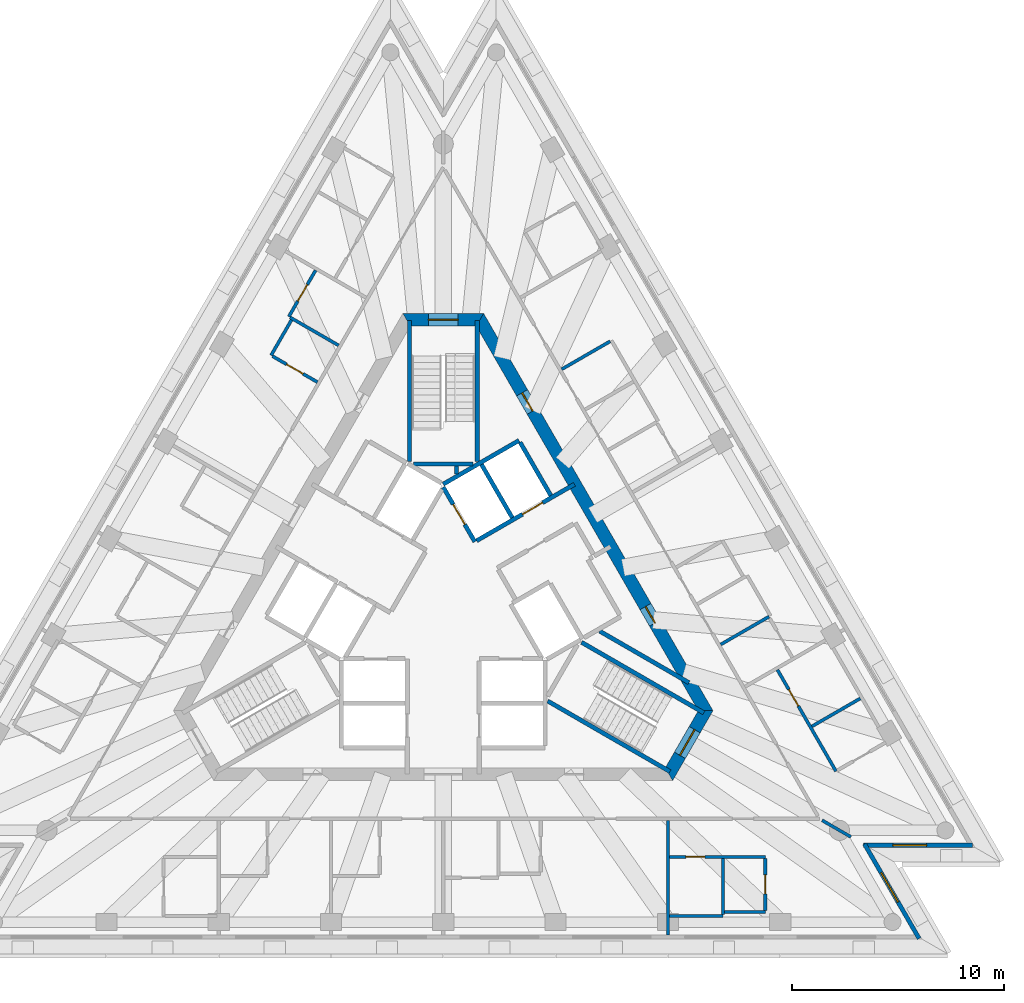
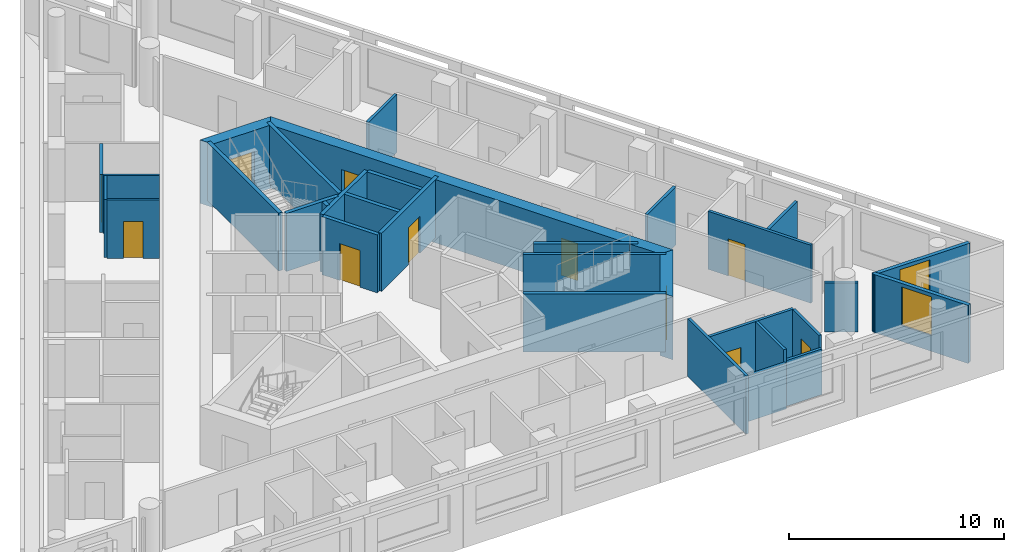
# One storey, part 6 of 11: 32 walls, 11 doors, 2 windows, 13 openings.
"""IFC4 building model written with IfcOpenShell, lengths in metres."""

from ifc_helpers import new_model, si_unit, direction, frame, frame_2d, origin, place, context, subcontext, project, spatial, polyline, rectangle, outline, extrude, material, layer, layer_set, layer_usage, type_object, element, fill, save


model = new_model("IFC4")

# Units and contexts
model_context = context("Model", 3, precision=1e-05, world=origin(), true_north=direction((0.0, 1.0)))
body_context = subcontext(model_context, "Body", "Model", "MODEL_VIEW")
ifc_project = project(units=[si_unit("LENGTHUNIT", "METRE"), si_unit("AREAUNIT", "SQUARE_METRE"), si_unit("VOLUMEUNIT", "CUBIC_METRE"), si_unit("PLANEANGLEUNIT", "RADIAN"), si_unit("MASSUNIT", "GRAM", prefix="KILO")], contexts=[model_context])

# Site, building, storey
site_placement = place(None, origin())
site = spatial("IfcSite", under=ifc_project, at=site_placement, CompositionType="ELEMENT")
building_placement = place(site_placement, origin())
building = spatial("IfcBuilding", under=site, at=building_placement, Name="Triada Interchange Tower", CompositionType="ELEMENT")
storey_placement = place(building_placement, frame((0.0, 0.0, 304.300048828125)))
storey = spatial("IfcBuildingStorey", under=building, at=storey_placement, Name="L72", CompositionType="ELEMENT", Elevation=304.300048828125)

# Wall
ifc_material_1 = material(Name="Concrete C30/37", Category="concrete")
ifc_layer_1 = layer(ifc_material_1, 0.199951171875)
ifc_layer_set_1 = layer_set([ifc_layer_1], Name="CORE WALL 200 EI 120")
wall_type_1 = type_object("IfcWallType", Name="CORE WALL 200 EI 120", PredefinedType="SOLIDWALL", material=ifc_layer_set_1)
wall_1_placement = place(storey_placement, frame((-0.001953125, 5.541015625, 0.0), z_axis=(0.0, 0.0, 1.0), x_axis=(0.86600155993, 0.500041296494, 0.0)))
element("IfcWall", 1, at=wall_1_placement, inside=storey, type_object=wall_type_1, Name="Wall L71 79", PredefinedType="SOLIDWALL", context=body_context, shape_type="SweptSolid", body=[
    extrude(rectangle(XDim=4.131591796875, YDim=0.199951171875, at=frame_2d((2.06591796875, 0.0))), origin(), (0.0, 0.0, 1.0), 3.300048828125),
])

# Wall, opening, door
wall_2_placement = place(storey_placement, frame((0.0, 5.39990234375, 0.0), z_axis=(0.0, 0.0, 1.0), x_axis=(0.500103862429, -0.865965430478, 0.0)))
wall_2 = element("IfcWall", 2, at=wall_2_placement, inside=storey, type_object=wall_type_1, Name="Wall L71 80", PredefinedType="SOLIDWALL", context=body_context, shape_type="SweptSolid", body=[
    extrude(rectangle(XDim=2.973388671875, YDim=0.199951171875, at=frame_2d((1.48681640625, 0.0))), origin(), (0.0, 0.0, 1.0), 3.300048828125),
])
opening_1_placement = place(wall_2_placement, frame((0.93701171875, 0.0, 0.0)))
opening_1 = element("IfcOpeningElement", 3, at=opening_1_placement, cuts=wall_2, Name="Opening LD-HR5", PredefinedType="OPENING", context=body_context, shape_type="SweptSolid", body=[
    extrude(rectangle(XDim=1.10009765625, YDim=2.10009765625, at=frame_2d((0.550048828125, 1.050048828125))), frame((0.0, 0.10986328125, 0.0), z_axis=(0.0, -1.0, 0.0), x_axis=(1.0, 0.0, 0.0)), (0.0, 0.0, 1.0), 0.219970703125),
])
ifc_material_2 = material(Name="Steel S235 door leaf", Category="steel")
door_type_1 = type_object("IfcDoorType", Name="LIFT LANDING DOOR 1100 EI 120", OperationType="SLIDING_TO_LEFT", PredefinedType="DOOR", material=ifc_material_2)
door_1_placement = place(opening_1_placement, origin())
door_1 = element("IfcDoor", 4, at=door_1_placement, inside=storey, type_object=door_type_1, Name="HR5 landing door L72", OperationType="SLIDING_TO_LEFT", OverallHeight=2.10009765625, OverallWidth=1.10009765625, PredefinedType="DOOR", context=body_context, shape_type="SweptSolid", body=[
    extrude(rectangle(XDim=1.10009765625, YDim=2.10009765625, at=frame_2d((0.550048828125, 1.050048828125))), frame((0.0, 0.02490234375, 0.0), z_axis=(0.0, -1.0, 0.0), x_axis=(1.0, 0.0, 0.0)), (0.0, 0.0, 1.0), 0.050048828125),
])
fill(opening_1, door_1)

wall_3_placement = place(storey_placement, frame((1.577880859375, 2.8740234375, 0.0), z_axis=(0.0, 0.0, 1.0), x_axis=(0.866045911672, 0.499964477614, 0.0)))
wall_3 = element("IfcWall", 5, at=wall_3_placement, inside=storey, type_object=wall_type_1, Name="Wall L71 82", PredefinedType="SOLIDWALL", context=body_context, shape_type="SweptSolid", body=[
    extrude(rectangle(XDim=5.32666015625, YDim=0.199951171875, at=frame_2d((2.663330078125, 0.0))), origin(), (0.0, 0.0, 1.0), 3.300048828125),
])
opening_2_placement = place(wall_3_placement, frame((2.49609375, 0.0, 0.0)))
opening_2 = element("IfcOpeningElement", 6, at=opening_2_placement, cuts=wall_3, Name="Opening LD-HR6", PredefinedType="OPENING", context=body_context, shape_type="SweptSolid", body=[
    extrude(rectangle(XDim=1.10009765625, YDim=2.10009765625, at=frame_2d((0.550048828125, 1.050048828125))), frame((0.0, 0.10986328125, 0.0), z_axis=(0.0, -1.0, 0.0), x_axis=(1.0, 0.0, 0.0)), (0.0, 0.0, 1.0), 0.219970703125),
])
door_2_placement = place(opening_2_placement, origin())
door_2 = element("IfcDoor", 7, at=door_2_placement, inside=storey, type_object=door_type_1, Name="HR6 landing door L72", OperationType="SLIDING_TO_LEFT", OverallHeight=2.10009765625, OverallWidth=1.10009765625, PredefinedType="DOOR", context=body_context, shape_type="SweptSolid", body=[
    extrude(rectangle(XDim=1.10009765625, YDim=2.10009765625, at=frame_2d((0.550048828125, 1.050048828125))), frame((0.0, 0.02490234375, 0.0), z_axis=(0.0, -1.0, 0.0), x_axis=(1.0, 0.0, 0.0)), (0.0, 0.0, 1.0), 0.050048828125),
])
fill(opening_2, door_2)

# Walls
for number, where, z_axis, x_axis, name in (
    (8, (3.6259765625, 7.52001953125, 0.0), (0.0, 0.0, 1.0), (0.500060147554, -0.865990674793, 0.0), "Wall L71 87"),
    (9, (1.806884765625, 6.469970703125, 0.0), (0.0, 0.0, 1.0), (0.50012328804, -0.865954211699, 0.0), "Wall L71 88"),
):
    element("IfcWall", number, at=place(storey_placement, frame(where, z_axis=z_axis, x_axis=x_axis)), inside=storey, type_object=wall_type_1, Name=name, PredefinedType="SOLIDWALL", context=body_context, shape_type="SweptSolid", body=[
        extrude(rectangle(XDim=2.899658203125, YDim=0.199951171875, at=frame_2d((1.44970703125, 0.0))), origin(), (0.0, 0.0, 1.0), 3.300048828125),
    ])
ifc_layer_2 = layer(ifc_material_1, 0.199951171875)
ifc_layer_set_2 = layer_set([ifc_layer_2], Name="CORE WALL 200 EI 90")
wall_type_2 = type_object("IfcWallType", Name="CORE WALL 200 EI 90", PredefinedType="SOLIDWALL", material=ifc_layer_set_2)
wall_4_placement = place(storey_placement, frame((0.62109375, 6.01611328125, 0.0), z_axis=(0.0, 0.0, 1.0), x_axis=(0.0, 1.0, 0.0)))
element("IfcWall", 10, at=wall_4_placement, inside=storey, type_object=wall_type_2, Name="Wall L71 110", PredefinedType="SOLIDWALL", context=body_context, shape_type="SweptSolid", body=[
    extrude(rectangle(XDim=0.3837890625, YDim=0.199951171875, at=frame_2d((0.19189453125, 0.0))), origin(), (0.0, 0.0, 1.0), 3.300048828125),
])
wall_5_placement = place(storey_placement, frame((7.383056640625, -1.39501953125, 0.0), z_axis=(0.0, 0.0, 1.0), x_axis=(0.865968383994, -0.500098748171, 0.0)))
element("IfcWall", 11, at=wall_5_placement, inside=storey, type_object=wall_type_2, Name="Wall L71 114", PredefinedType="SOLIDWALL", context=body_context, shape_type="SweptSolid", body=[
    extrude(rectangle(XDim=4.8671875, YDim=0.199951171875, at=frame_2d((2.43359375, 0.0))), origin(), (0.0, 0.0, 1.0), 3.300048828125),
])
ifc_layer_3 = layer(ifc_material_1, 0.199951171875)
ifc_layer_set_3 = layer_set([ifc_layer_3], Name="CORE WALL 200 REI 240")
wall_type_3 = type_object("IfcWallType", Name="CORE WALL 200 REI 240", PredefinedType="SOLIDWALL", material=ifc_layer_set_3)
wall_6_placement = place(storey_placement, frame((1.60009765625, 6.614990234375, 0.0), z_axis=(0.0, 0.0, 1.0), x_axis=(0.0, 1.0, 0.0)))
element("IfcWall", 12, at=wall_6_placement, inside=storey, type_object=wall_type_3, Name="Wall L71 118", PredefinedType="SOLIDWALL", context=body_context, shape_type="SweptSolid", body=[
    extrude(rectangle(XDim=6.6650390625, YDim=0.199951171875, at=frame_2d((3.33251953125, 0.0))), origin(), (0.0, 0.0, 1.0), 3.300048828125),
])
wall_7_placement = place(storey_placement, frame((-1.39990234375, 6.5, 0.0), z_axis=(0.0, 0.0, 1.0), x_axis=(1.0, 0.0, 0.0)))
element("IfcWall", 13, at=wall_7_placement, inside=storey, type_object=wall_type_3, Name="Wall L71 119", PredefinedType="SOLIDWALL", context=body_context, shape_type="SweptSolid", body=[
    extrude(rectangle(XDim=2.7998046875, YDim=0.199951171875, at=frame_2d((1.39990234375, 0.0))), origin(), (0.0, 0.0, 1.0), 3.300048828125),
])
for number, where, z_axis, x_axis, name in (
    (14, (-1.60009765625, 6.614990234375, 0.0), (0.0, 0.0, 1.0), (0.0, 1.0, 0.0), "Wall L71 120"),
    (15, (4.928955078125, -4.693115234375, 0.0), (0.0, 0.0, 1.0), (0.866005022404, -0.500035299925, 0.0), "Wall L71 121"),
):
    element("IfcWall", number, at=place(storey_placement, frame(where, z_axis=z_axis, x_axis=x_axis)), inside=storey, type_object=wall_type_3, Name=name, PredefinedType="SOLIDWALL", context=body_context, shape_type="SweptSolid", body=[
        extrude(rectangle(XDim=6.6650390625, YDim=0.199951171875, at=frame_2d((3.33251953125, 0.0))), origin(), (0.0, 0.0, 1.0), 3.300048828125),
    ])
wall_8_placement = place(storey_placement, frame((6.529052734375, -1.922119140625, 0.0), z_axis=(0.0, 0.0, 1.0), x_axis=(0.866068467981, -0.499925403204, 0.0)))
element("IfcWall", 16, at=wall_8_placement, inside=storey, type_object=wall_type_3, Name="Wall L71 123", PredefinedType="SOLIDWALL", context=body_context, shape_type="SweptSolid", body=[
    extrude(rectangle(XDim=6.66455078125, YDim=0.199951171875, at=frame_2d((3.332275390625, 0.0))), origin(), (0.0, 0.0, 1.0), 3.300048828125),
])

# Wall, opening, door
ifc_material_3 = material(Name="Concrete C40/50", Category="concrete")
ifc_layer_4 = layer(ifc_material_3, 0.60009765625)
ifc_layer_set_4 = layer_set([ifc_layer_4], Name="Core wall D 600")
wall_type_4 = type_object("IfcWallType", Name="Core wall D 600", PredefinedType="SHEAR", material=ifc_layer_set_4)
wall_9_placement = place(storey_placement, frame((1.73193359375, 13.300048828125, -0.300048828125), z_axis=(0.0, 0.0, 1.0), x_axis=(-1.0, 0.0, 0.0)))
wall_9 = element("IfcWall", 17, at=wall_9_placement, inside=storey, type_object=wall_type_4, Name="Core wall WD01 L72", PredefinedType="SHEAR", context=body_context, shape_type="SweptSolid", body=[
    extrude(outline(polyline([(-0.173095703125, -0.300048828125), (1.73193359375, -0.300048828125), (3.636962890625, -0.300048828125), (3.291015625, 0.300048828125), (1.73193359375, 0.300048828125), (0.173095703125, 0.300048828125), (-0.173095703125, -0.300048828125)])), origin(), (0.0, 0.0, 1.0), 3.60009765625),
])
opening_3_placement = place(wall_9_placement, frame((1.031982421875, 0.0, 0.300048828125)))
opening_3 = element("IfcOpeningElement", 18, at=opening_3_placement, cuts=wall_9, Name="Opening D71-50", PredefinedType="OPENING", context=body_context, shape_type="SweptSolid", body=[
    extrude(rectangle(XDim=1.39990234375, YDim=2.10009765625, at=frame_2d((0.699951171875, 1.050048828125))), frame((0.0, 0.31005859375, 0.0), z_axis=(0.0, -1.0, 0.0), x_axis=(1.0, 0.0, 0.0)), (0.0, 0.0, 1.0), 0.6201171875),
])
door_type_2 = type_object("IfcDoorType", Name="STAIR DOOR 1400 EI2 90-C5S200", OperationType="DOUBLE_DOOR_SINGLE_SWING", PredefinedType="DOOR", material=ifc_material_2)
door_3_placement = place(opening_3_placement, origin())
door_3 = element("IfcDoor", 19, at=door_3_placement, inside=storey, type_object=door_type_2, Name="Door D71-50 L72", OperationType="DOUBLE_DOOR_SINGLE_SWING", OverallHeight=2.10009765625, OverallWidth=1.39990234375, PredefinedType="DOOR", context=body_context, shape_type="SweptSolid", body=[
    extrude(rectangle(XDim=1.39990234375, YDim=2.10009765625, at=frame_2d((0.699951171875, 1.050048828125))), frame((0.0, 0.02490234375, 0.0), z_axis=(0.0, -1.0, 0.0), x_axis=(1.0, 0.0, 0.0)), (0.0, 0.0, 1.0), 0.050048828125),
])
fill(opening_3, door_3)

wall_10_placement = place(storey_placement, frame((10.652099609375, -8.14990234375, -0.300048828125), z_axis=(0.0, 0.0, 1.0), x_axis=(0.49997462182, 0.866040055388, 0.0)))
wall_10 = element("IfcWall", 20, at=wall_10_placement, inside=storey, type_object=wall_type_4, Name="Core wall WD05 L72", PredefinedType="SHEAR", context=body_context, shape_type="SweptSolid", body=[
    extrude(outline(polyline([(-0.173095703125, -0.300048828125), (1.732421875, -0.300537109375), (3.637939453125, -0.301025390625), (3.291015625, 0.300048828125), (1.73193359375, 0.300048828125), (0.173095703125, 0.300048828125), (-0.173095703125, -0.300048828125)])), origin(), (0.0, 0.0, 1.0), 3.60009765625),
])
opening_4_placement = place(wall_10_placement, frame((1.031982421875, 0.0, 0.300048828125)))
opening_4 = element("IfcOpeningElement", 21, at=opening_4_placement, cuts=wall_10, Name="Opening D71-52", PredefinedType="OPENING", context=body_context, shape_type="SweptSolid", body=[
    extrude(rectangle(XDim=1.39990234375, YDim=2.10009765625, at=frame_2d((0.699951171875, 1.050048828125))), frame((0.0, 0.31005859375, 0.0), z_axis=(0.0, -1.0, 0.0), x_axis=(1.0, 0.0, 0.0)), (0.0, 0.0, 1.0), 0.62109375),
])
door_4_placement = place(opening_4_placement, origin())
door_4 = element("IfcDoor", 22, at=door_4_placement, inside=storey, type_object=door_type_2, Name="Door D71-52 L72", OperationType="DOUBLE_DOOR_SINGLE_SWING", OverallHeight=2.10009765625, OverallWidth=1.39990234375, PredefinedType="DOOR", context=body_context, shape_type="SweptSolid", body=[
    extrude(rectangle(XDim=1.39990234375, YDim=2.10009765625, at=frame_2d((0.699951171875, 1.050048828125))), frame((0.0, 0.02490234375, 0.0), z_axis=(0.0, -1.0, 0.0), x_axis=(1.0, 0.0, 0.0)), (0.0, 0.0, 1.0), 0.050048828125),
])
fill(opening_4, door_4)

# Wall, openings, doors
wall_11_placement = place(storey_placement, frame((12.384033203125, -5.14990234375, -0.300048828125), z_axis=(0.0, 0.0, 1.0), x_axis=(-0.500000539815, 0.866025092122, 0.0)))
wall_11 = element("IfcWall", 23, at=wall_11_placement, inside=storey, type_object=wall_type_4, Name="Core wall WD06 L72", PredefinedType="SHEAR", context=body_context, shape_type="SweptSolid", body=[
    extrude(outline(polyline([(-0.173095703125, -0.301025390625), (1.795166015625, -0.301025390625), (3.76318359375, -0.30078125), (5.7314453125, -0.30078125), (7.69970703125, -0.30078125), (9.66796875, -0.300537109375), (11.635986328125, -0.300537109375), (13.604248046875, -0.30029296875), (15.572509765625, -0.30029296875), (17.540771484375, -0.30029296875), (19.5087890625, -0.300048828125), (21.47705078125, -0.300048828125), (21.131103515625, 0.300048828125), (19.225830078125, 0.300048828125), (17.320556640625, 0.300048828125), (15.415283203125, 0.300048828125), (13.510009765625, 0.300048828125), (11.604736328125, 0.300048828125), (9.699462890625, 0.300048828125), (7.794189453125, 0.300048828125), (5.888916015625, 0.300048828125), (3.983642578125, 0.300048828125), (2.078369140625, 0.300048828125), (0.173095703125, 0.300048828125), (-0.173095703125, -0.301025390625)])), origin(), (0.0, 0.0, 1.0), 3.60009765625),
])
opening_5_placement = place(wall_11_placement, frame((16.327880859375, 0.0, 0.300048828125)))
opening_5 = element("IfcOpeningElement", 24, at=opening_5_placement, cuts=wall_11, Name="Opening D71-57", PredefinedType="OPENING", context=body_context, shape_type="SweptSolid", body=[
    extrude(rectangle(XDim=1.0, YDim=2.10009765625, at=frame_2d((0.5, 1.050048828125))), frame((0.0, 0.31005859375, 0.0), z_axis=(0.0, -1.0, 0.0), x_axis=(1.0, 0.0, 0.0)), (0.0, 0.0, 1.0), 0.62109375),
])
opening_6_placement = place(wall_11_placement, frame((4.777099609375, 0.0, 0.300048828125)))
opening_6 = element("IfcOpeningElement", 25, at=opening_6_placement, cuts=wall_11, Name="Opening D71-59", PredefinedType="OPENING", context=body_context, shape_type="SweptSolid", body=[
    extrude(rectangle(XDim=0.89990234375, YDim=2.10009765625, at=frame_2d((0.449951171875, 1.050048828125))), frame((0.0, 0.31005859375, 0.0), z_axis=(0.0, -1.0, 0.0), x_axis=(1.0, 0.0, 0.0)), (0.0, 0.0, 1.0), 0.62109375),
])
door_type_3 = type_object("IfcDoorType", Name="RISER ACCESS DOOR 900 EI2 45-C5S200", OperationType="NOTDEFINED", PredefinedType="DOOR", material=ifc_material_2)
door_5_placement = place(opening_6_placement, origin())
door_5 = element("IfcDoor", 26, at=door_5_placement, inside=storey, type_object=door_type_3, Name="Door D71-59 L72", OperationType="SINGLE_SWING_LEFT", OverallHeight=2.10009765625, OverallWidth=0.89990234375, PredefinedType="DOOR", context=body_context, shape_type="SweptSolid", body=[
    extrude(rectangle(XDim=0.89990234375, YDim=2.10009765625, at=frame_2d((0.449951171875, 1.050048828125))), frame((0.0, 0.02490234375, 0.0), z_axis=(0.0, -1.0, 0.0), x_axis=(1.0, 0.0, 0.0)), (0.0, 0.0, 1.0), 0.050048828125),
])
fill(opening_6, door_5)
door_type_4 = type_object("IfcDoorType", Name="SERVICE DOOR 1000 EI2 45-C5S200", OperationType="NOTDEFINED", PredefinedType="DOOR", material=ifc_material_2)
door_6_placement = place(opening_5_placement, origin())
door_6 = element("IfcDoor", 27, at=door_6_placement, inside=storey, type_object=door_type_4, Name="Door D71-57 L72", OperationType="SINGLE_SWING_RIGHT", OverallHeight=2.10009765625, OverallWidth=1.0, PredefinedType="DOOR", context=body_context, shape_type="SweptSolid", body=[
    extrude(rectangle(XDim=1.0, YDim=2.10009765625, at=frame_2d((0.5, 1.050048828125))), frame((0.0, 0.02490234375, 0.0), z_axis=(0.0, -1.0, 0.0), x_axis=(1.0, 0.0, 0.0)), (0.0, 0.0, 1.0), 0.050048828125),
])
fill(opening_5, door_6)

# Wall, opening, window
ifc_material_4 = material(Name="Cement board")
ifc_layer_5 = layer(ifc_material_4, 0.02001953125, Name="Cement board cladding")
ifc_material_5 = material(Name="Sheathing board")
ifc_layer_6 = layer(ifc_material_5, 0.014892578125, Name="Sheathing board")
ifc_material_6 = material(Name="Mineral wool")
ifc_layer_7 = layer(ifc_material_6, 0.14990234375, Name="Mineral wool between steel studs")
ifc_material_7 = material(Name="Gypsum board")
ifc_layer_8 = layer(ifc_material_7, 0.014892578125, Name="Plasterboard lining")
ifc_layer_set_5 = layer_set([ifc_layer_5, ifc_layer_6, ifc_layer_7, ifc_layer_8], Name="External wall 200")
ifc_layer_usage = layer_usage(ifc_layer_set_5, "AXIS2", "POSITIVE", -0.10009765625)
wall_type_5 = type_object("IfcWallType", Name="External wall 200", PredefinedType="ELEMENTEDWALL", material=ifc_layer_set_5)
wall_12_placement = place(storey_placement, frame((22.4619140625, -15.905029296875, 0.0), z_axis=(0.0, 0.0, 1.0), x_axis=(-0.500054376048, 0.865994007483, 0.0)))
wall_12 = element("IfcWall", 28, at=wall_12_placement, inside=storey, type_object=wall_type_5, material=ifc_layer_usage, Name="External wall L72 SE-1", PredefinedType="ELEMENTEDWALL", context=body_context, shape_type="SweptSolid", body=[
    extrude(rectangle(XDim=5.1572265625, YDim=0.199951171875, at=frame_2d((2.57861328125, 0.0))), origin(), (0.0, 0.0, 1.0), 3.300048828125),
])
opening_7_placement = place(wall_12_placement, frame((1.989990234375, 0.0, 0.89990234375)))
opening_7 = element("IfcOpeningElement", 29, at=opening_7_placement, cuts=wall_12, Name="Opening WD19", PredefinedType="OPENING", context=body_context, shape_type="SweptSolid", body=[
    extrude(rectangle(XDim=1.60009765625, YDim=2.199951171875, at=frame_2d((0.800048828125, 1.10009765625))), frame((0.0, 0.10986328125, 0.0), z_axis=(0.0, -1.0, 0.0), x_axis=(1.0, 0.0, 0.0)), (0.0, 0.0, 1.0), 0.219970703125),
])
ifc_material_8 = material(Name="Double glazed aluminium window", Category="aluminium")
window_type = type_object("IfcWindowType", Name="Ribbon window D pocket", PartitioningType="SINGLE_PANEL", PredefinedType="WINDOW", material=ifc_material_8)
window_1_placement = place(opening_7_placement, origin())
window_1 = element("IfcWindow", 30, at=window_1_placement, inside=storey, type_object=window_type, Name="Window L72 SE-1 1", OverallHeight=2.199951171875, OverallWidth=1.60009765625, PartitioningType="SINGLE_PANEL", PredefinedType="WINDOW", context=body_context, shape_type="SweptSolid", body=[
    extrude(rectangle(XDim=1.60009765625, YDim=2.199951171875, at=frame_2d((0.800048828125, 1.10009765625))), frame((0.0, 0.030029296875, 0.0), z_axis=(0.0, -1.0, 0.0), x_axis=(1.0, 0.0, 0.0)), (0.0, 0.0, 1.0), 0.06005859375),
])
fill(opening_7, window_1)

wall_13_placement = place(storey_placement, frame((19.827880859375, -11.5, 0.0), z_axis=(0.0, 0.0, 1.0), x_axis=(1.0, 0.0, 0.0)))
wall_13 = element("IfcWall", 31, at=wall_13_placement, inside=storey, type_object=wall_type_5, material=ifc_layer_usage, Name="External wall L72 SE-2", PredefinedType="ELEMENTEDWALL", context=body_context, shape_type="SweptSolid", body=[
    extrude(rectangle(XDim=5.1572265625, YDim=0.199951171875, at=frame_2d((2.57861328125, 0.0))), origin(), (0.0, 0.0, 1.0), 3.300048828125),
])
opening_8_placement = place(wall_13_placement, frame((1.389892578125, 0.0, 0.89990234375)))
opening_8 = element("IfcOpeningElement", 32, at=opening_8_placement, cuts=wall_13, Name="Opening WD20", PredefinedType="OPENING", context=body_context, shape_type="SweptSolid", body=[
    extrude(rectangle(XDim=1.60009765625, YDim=2.199951171875, at=frame_2d((0.800048828125, 1.10009765625))), frame((0.0, 0.10986328125, 0.0), z_axis=(0.0, -1.0, 0.0), x_axis=(1.0, 0.0, 0.0)), (0.0, 0.0, 1.0), 0.219970703125),
])
window_2_placement = place(opening_8_placement, origin())
window_2 = element("IfcWindow", 33, at=window_2_placement, inside=storey, type_object=window_type, Name="Window L72 SE-2 1", OverallHeight=2.199951171875, OverallWidth=1.60009765625, PartitioningType="SINGLE_PANEL", PredefinedType="WINDOW", context=body_context, shape_type="SweptSolid", body=[
    extrude(rectangle(XDim=1.60009765625, YDim=2.199951171875, at=frame_2d((0.800048828125, 1.10009765625))), frame((0.0, 0.030029296875, 0.0), z_axis=(0.0, -1.0, 0.0), x_axis=(1.0, 0.0, 0.0)), (0.0, 0.0, 1.0), 0.06005859375),
])
fill(opening_8, window_2)

# Walls
ifc_material_9 = material(Name="Gypsum board partition")
ifc_layer_9 = layer(ifc_material_9, 0.14990234375)
ifc_layer_set_6 = layer_set([ifc_layer_9], Name="PARTITION 150 EI 180")
wall_type_6 = type_object("IfcWallType", Name="PARTITION 150 EI 180", PredefinedType="PARTITIONING", material=ifc_layer_set_6)
wall_14_placement = place(storey_placement, frame((17.883056640625, -10.324951171875, 0.0), z_axis=(0.0, 0.0, 1.0), x_axis=(0.865859083376, -0.500287964811, 0.0)))
element("IfcWall", 34, at=wall_14_placement, inside=storey, type_object=wall_type_6, Name="Wall L71 8", PredefinedType="PARTITIONING", context=body_context, shape_type="SweptSolid", body=[
    extrude(rectangle(XDim=1.5693359375, YDim=0.14990234375, at=frame_2d((0.78466796875, 0.0))), origin(), (0.0, 0.0, 1.0), 2.800048828125),
])
wall_15_placement = place(storey_placement, frame((5.591064453125, 10.965087890625, 0.0), z_axis=(0.0, 0.0, 1.0), x_axis=(0.86592206805, 0.500178940045, 0.0)))
element("IfcWall", 35, at=wall_15_placement, inside=storey, type_object=wall_type_6, Name="Wall L71 18", PredefinedType="PARTITIONING", context=body_context, shape_type="SweptSolid", body=[
    extrude(rectangle(XDim=2.638671875, YDim=0.14990234375, at=frame_2d((1.3193359375, 0.0))), origin(), (0.0, 0.0, 1.0), 3.300048828125),
])
wall_16_placement = place(storey_placement, frame((10.60205078125, -15.7470703125, 0.0), z_axis=(0.0, 0.0, 1.0), x_axis=(0.0, 1.0, 0.0)))
element("IfcWall", 36, at=wall_16_placement, inside=storey, type_object=wall_type_6, Name="Wall L71 21", PredefinedType="PARTITIONING", context=body_context, shape_type="SweptSolid", body=[
    extrude(rectangle(XDim=5.422119140625, YDim=0.14990234375, at=frame_2d((2.7109375, 0.0))), origin(), (0.0, 0.0, 1.0), 3.300048828125),
])
wall_17_placement = place(storey_placement, frame((13.093017578125, -2.027099609375, 0.0), z_axis=(0.0, 0.0, 1.0), x_axis=(0.866042279195, 0.499970769793, 0.0)))
element("IfcWall", 37, at=wall_17_placement, inside=storey, type_object=wall_type_6, Name="Wall L71 25", PredefinedType="PARTITIONING", context=body_context, shape_type="SweptSolid", body=[
    extrude(rectangle(XDim=2.638427734375, YDim=0.14990234375, at=frame_2d((1.3193359375, 0.0))), origin(), (0.0, 0.0, 1.0), 3.300048828125),
])

# Wall, opening, door
ifc_layer_10 = layer(ifc_material_9, 0.14990234375)
ifc_layer_set_7 = layer_set([ifc_layer_10], Name="PARTITION 150 EI 90")
wall_type_7 = type_object("IfcWallType", Name="PARTITION 150 EI 90", PredefinedType="PARTITIONING", material=ifc_layer_set_7)
wall_18_placement = place(storey_placement, frame((-7.291015625, 13.448974609375, 0.0), z_axis=(0.0, 0.0, 1.0), x_axis=(0.500079482444, 0.865979509711, 0.0)))
wall_18 = element("IfcWall", 38, at=wall_18_placement, inside=storey, type_object=wall_type_7, Name="Wall L71 35", PredefinedType="PARTITIONING", context=body_context, shape_type="SweptSolid", body=[
    extrude(rectangle(XDim=2.525390625, YDim=0.14990234375, at=frame_2d((1.2626953125, 0.0))), origin(), (0.0, 0.0, 1.0), 3.300048828125),
])
opening_9_placement = place(wall_18_placement, frame((0.85009765625, 0.0, 0.0)))
opening_9 = element("IfcOpeningElement", 39, at=opening_9_placement, cuts=wall_18, Name="Opening D71-40", PredefinedType="OPENING", context=body_context, shape_type="SweptSolid", body=[
    extrude(rectangle(XDim=0.89990234375, YDim=2.10009765625, at=frame_2d((0.449951171875, 1.050048828125))), frame((0.0, 0.0849609375, 0.0), z_axis=(0.0, -1.0, 0.0), x_axis=(1.0, 0.0, 0.0)), (0.0, 0.0, 1.0), 0.169921875),
])
door_type_5 = type_object("IfcDoorType", Name="ROOM DOOR 900 EI2 45-C5S200", OperationType="NOTDEFINED", PredefinedType="DOOR", material=ifc_material_2)
door_7_placement = place(opening_9_placement, origin())
door_7 = element("IfcDoor", 40, at=door_7_placement, inside=storey, type_object=door_type_5, Name="Door D71-40 L72", OperationType="SINGLE_SWING_LEFT", OverallHeight=2.10009765625, OverallWidth=0.89990234375, PredefinedType="DOOR", context=body_context, shape_type="SweptSolid", body=[
    extrude(rectangle(XDim=0.89990234375, YDim=2.10009765625, at=frame_2d((0.449951171875, 1.050048828125))), frame((0.0, 0.02490234375, 0.0), z_axis=(0.0, -1.0, 0.0), x_axis=(1.0, 0.0, 0.0)), (0.0, 0.0, 1.0), 0.050048828125),
])
fill(opening_9, door_7)

wall_19_placement = place(storey_placement, frame((10.677001953125, -12.050048828125, 0.0), z_axis=(0.0, 0.0, 1.0), x_axis=(1.0, 0.0, 0.0)))
wall_19 = element("IfcWall", 41, at=wall_19_placement, inside=storey, type_object=wall_type_7, Name="Wall L71 43", PredefinedType="PARTITIONING", context=body_context, shape_type="SweptSolid", body=[
    extrude(rectangle(XDim=4.52490234375, YDim=0.14990234375, at=frame_2d((2.262451171875, 0.0))), origin(), (0.0, 0.0, 1.0), 3.300048828125),
])
opening_10_placement = place(wall_19_placement, frame((0.77490234375, 0.0, 0.0)))
opening_10 = element("IfcOpeningElement", 42, at=opening_10_placement, cuts=wall_19, Name="Opening D71-21", PredefinedType="OPENING", context=body_context, shape_type="SweptSolid", body=[
    extrude(rectangle(XDim=0.89990234375, YDim=2.10009765625, at=frame_2d((0.449951171875, 1.050048828125))), frame((0.0, 0.0849609375, 0.0), z_axis=(0.0, -1.0, 0.0), x_axis=(1.0, 0.0, 0.0)), (0.0, 0.0, 1.0), 0.169921875),
])
door_8_placement = place(opening_10_placement, origin())
door_8 = element("IfcDoor", 43, at=door_8_placement, inside=storey, type_object=door_type_5, Name="Door D71-21 L72", OperationType="SINGLE_SWING_RIGHT", OverallHeight=2.10009765625, OverallWidth=0.89990234375, PredefinedType="DOOR", context=body_context, shape_type="SweptSolid", body=[
    extrude(rectangle(XDim=0.89990234375, YDim=2.10009765625, at=frame_2d((0.449951171875, 1.050048828125))), frame((0.0, 0.02490234375, 0.0), z_axis=(0.0, -1.0, 0.0), x_axis=(1.0, 0.0, 0.0)), (0.0, 0.0, 1.0), 0.050048828125),
])
fill(opening_10, door_8)

# Walls
wall_20_placement = place(storey_placement, frame((10.677001953125, -14.837890625, 0.0), z_axis=(0.0, 0.0, 1.0), x_axis=(1.0, 0.0, 0.0)))
element("IfcWall", 44, at=wall_20_placement, inside=storey, type_object=wall_type_7, Name="Wall L71 46", PredefinedType="PARTITIONING", context=body_context, shape_type="SweptSolid", body=[
    extrude(rectangle(XDim=2.52490234375, YDim=0.14990234375, at=frame_2d((1.262451171875, 0.0))), origin(), (0.0, 0.0, 1.0), 2.599853515625),
])
wall_21_placement = place(storey_placement, frame((-7.22607421875, 13.412109375, 0.0), z_axis=(0.0, 0.0, 1.0), x_axis=(0.866065407652, -0.499930704866, 0.0)))
element("IfcWall", 45, at=wall_21_placement, inside=storey, type_object=wall_type_7, Name="Wall L71 47", PredefinedType="PARTITIONING", context=body_context, shape_type="SweptSolid", body=[
    extrude(rectangle(XDim=2.638427734375, YDim=0.14990234375, at=frame_2d((1.3193359375, 0.0))), origin(), (0.0, 0.0, 1.0), 3.300048828125),
])
wall_22_placement = place(storey_placement, frame((-8.126953125, 11.623046875, 0.0), z_axis=(0.0, 0.0, 1.0), x_axis=(0.499795662447, 0.866143345988, 0.0)))
element("IfcWall", 46, at=wall_22_placement, inside=storey, type_object=wall_type_7, Name="Wall L71 48", PredefinedType="PARTITIONING", context=body_context, shape_type="SweptSolid", body=[
    extrude(rectangle(XDim=1.924560546875, YDim=0.14990234375, at=frame_2d((0.96240234375, 0.0))), origin(), (0.0, 0.0, 1.0), 3.300048828125),
])

# Wall, opening, door
wall_23_placement = place(storey_placement, frame((-8.06201171875, 11.5849609375, 0.0), z_axis=(0.0, 0.0, 1.0), x_axis=(0.865983065851, -0.500073324283, 0.0)))
wall_23 = element("IfcWall", 47, at=wall_23_placement, inside=storey, type_object=wall_type_7, Name="Wall L71 49", PredefinedType="PARTITIONING", context=body_context, shape_type="SweptSolid", body=[
    extrude(rectangle(XDim=2.449462890625, YDim=0.14990234375, at=frame_2d((1.224609375, 0.0))), origin(), (0.0, 0.0, 1.0), 3.300048828125),
])
opening_11_placement = place(wall_23_placement, frame((0.77392578125, 0.0, 0.0)))
opening_11 = element("IfcOpeningElement", 48, at=opening_11_placement, cuts=wall_23, Name="Opening D71-41", PredefinedType="OPENING", context=body_context, shape_type="SweptSolid", body=[
    extrude(rectangle(XDim=0.89990234375, YDim=2.10009765625, at=frame_2d((0.449951171875, 1.050048828125))), frame((0.0, 0.0849609375, 0.0), z_axis=(0.0, -1.0, 0.0), x_axis=(1.0, 0.0, 0.0)), (0.0, 0.0, 1.0), 0.169921875),
])
door_type_6 = type_object("IfcDoorType", Name="SERVICE DOOR 900 EI2 45-C5S200", OperationType="NOTDEFINED", PredefinedType="DOOR", material=ifc_material_2)
door_9_placement = place(opening_11_placement, origin())
door_9 = element("IfcDoor", 49, at=door_9_placement, inside=storey, type_object=door_type_6, Name="Door D71-41 L72", OperationType="SINGLE_SWING_RIGHT", OverallHeight=2.10009765625, OverallWidth=0.89990234375, PredefinedType="DOOR", context=body_context, shape_type="SweptSolid", body=[
    extrude(rectangle(XDim=0.89990234375, YDim=2.10009765625, at=frame_2d((0.449951171875, 1.050048828125))), frame((0.0, 0.02490234375, 0.0), z_axis=(0.0, -1.0, 0.0), x_axis=(1.0, 0.0, 0.0)), (0.0, 0.0, 1.0), 0.050048828125),
])
fill(opening_11, door_9)

wall_24_placement = place(storey_placement, frame((15.77392578125, -3.220947265625, 0.0), z_axis=(0.0, 0.0, 1.0), x_axis=(0.499898410332, -0.866084048662, 0.0)))
wall_24 = element("IfcWall", 50, at=wall_24_placement, inside=storey, type_object=wall_type_7, Name="Wall L71 61", PredefinedType="PARTITIONING", context=body_context, shape_type="SweptSolid", body=[
    extrude(rectangle(XDim=5.525146484375, YDim=0.14990234375, at=frame_2d((2.7626953125, 0.0))), origin(), (0.0, 0.0, 1.0), 3.300048828125),
])
opening_12_placement = place(wall_24_placement, frame((1.074951171875, 0.0, 0.0)))
opening_12 = element("IfcOpeningElement", 51, at=opening_12_placement, cuts=wall_24, Name="Opening D71-24", PredefinedType="OPENING", context=body_context, shape_type="SweptSolid", body=[
    extrude(rectangle(XDim=0.89990234375, YDim=2.10009765625, at=frame_2d((0.449951171875, 1.050048828125))), frame((0.0, 0.0849609375, 0.0), z_axis=(0.0, -1.0, 0.0), x_axis=(1.0, 0.0, 0.0)), (0.0, 0.0, 1.0), 0.169921875),
])
door_10_placement = place(opening_12_placement, origin())
door_10 = element("IfcDoor", 52, at=door_10_placement, inside=storey, type_object=door_type_5, Name="Door D71-24 L72", OperationType="SINGLE_SWING_LEFT", OverallHeight=2.10009765625, OverallWidth=0.89990234375, PredefinedType="DOOR", context=body_context, shape_type="SweptSolid", body=[
    extrude(rectangle(XDim=0.89990234375, YDim=2.10009765625, at=frame_2d((0.449951171875, 1.050048828125))), frame((0.0, 0.02490234375, 0.0), z_axis=(0.0, -1.0, 0.0), x_axis=(1.0, 0.0, 0.0)), (0.0, 0.0, 1.0), 0.050048828125),
])
fill(opening_12, door_10)

# Walls
wall_25_placement = place(storey_placement, frame((13.201904296875, -14.763916015625, 0.0), z_axis=(0.0, 0.0, 1.0), x_axis=(0.0, 1.0, 0.0)))
element("IfcWall", 53, at=wall_25_placement, inside=storey, type_object=wall_type_7, Name="Wall L71 64", PredefinedType="PARTITIONING", context=body_context, shape_type="SweptSolid", body=[
    extrude(rectangle(XDim=2.638916015625, YDim=0.14990234375, at=frame_2d((1.3193359375, 0.0))), origin(), (0.0, 0.0, 1.0), 3.300048828125),
])
wall_26_placement = place(storey_placement, frame((13.277099609375, -14.64990234375, 0.0), z_axis=(0.0, 0.0, 1.0), x_axis=(1.0, 0.0, 0.0)))
element("IfcWall", 54, at=wall_26_placement, inside=storey, type_object=wall_type_7, Name="Wall L71 65", PredefinedType="PARTITIONING", context=body_context, shape_type="SweptSolid", body=[
    extrude(rectangle(XDim=1.9248046875, YDim=0.14990234375, at=frame_2d((0.96240234375, 0.0))), origin(), (0.0, 0.0, 1.0), 2.599853515625),
])

# Wall, opening, door
wall_27_placement = place(storey_placement, frame((15.201904296875, -14.574951171875, 0.0), z_axis=(0.0, 0.0, 1.0), x_axis=(0.0, 1.0, 0.0)))
wall_27 = element("IfcWall", 55, at=wall_27_placement, inside=storey, type_object=wall_type_7, Name="Wall L71 66", PredefinedType="PARTITIONING", context=body_context, shape_type="SweptSolid", body=[
    extrude(rectangle(XDim=2.449951171875, YDim=0.14990234375, at=frame_2d((1.22509765625, 0.0))), origin(), (0.0, 0.0, 1.0), 3.300048828125),
])
opening_13_placement = place(wall_27_placement, frame((0.77490234375, 0.0, 0.0)))
opening_13 = element("IfcOpeningElement", 56, at=opening_13_placement, cuts=wall_27, Name="Opening D71-22", PredefinedType="OPENING", context=body_context, shape_type="SweptSolid", body=[
    extrude(rectangle(XDim=0.89990234375, YDim=2.10009765625, at=frame_2d((0.449951171875, 1.050048828125))), frame((0.0, 0.0849609375, 0.0), z_axis=(0.0, -1.0, 0.0), x_axis=(1.0, 0.0, 0.0)), (0.0, 0.0, 1.0), 0.169921875),
])
door_11_placement = place(opening_13_placement, origin())
door_11 = element("IfcDoor", 57, at=door_11_placement, inside=storey, type_object=door_type_6, Name="Door D71-22 L72", OperationType="SINGLE_SWING_LEFT", OverallHeight=2.10009765625, OverallWidth=0.89990234375, PredefinedType="DOOR", context=body_context, shape_type="SweptSolid", body=[
    extrude(rectangle(XDim=0.89990234375, YDim=2.10009765625, at=frame_2d((0.449951171875, 1.050048828125))), frame((0.0, 0.02490234375, 0.0), z_axis=(0.0, -1.0, 0.0), x_axis=(1.0, 0.0, 0.0)), (0.0, 0.0, 1.0), 0.050048828125),
])
fill(opening_13, door_11)

# Wall
wall_28_placement = place(storey_placement, frame((17.40087890625, -5.889892578125, 0.0), z_axis=(0.0, 0.0, 1.0), x_axis=(0.866105468975, 0.499861297372, 0.0)))
element("IfcWall", 58, at=wall_28_placement, inside=storey, type_object=wall_type_7, Name="Wall L71 67", PredefinedType="PARTITIONING", context=body_context, shape_type="SweptSolid", body=[
    extrude(rectangle(XDim=2.638427734375, YDim=0.14990234375, at=frame_2d((1.3193359375, 0.0))), origin(), (0.0, 0.0, 1.0), 3.300048828125),
])

save(model, "model.ifc")
